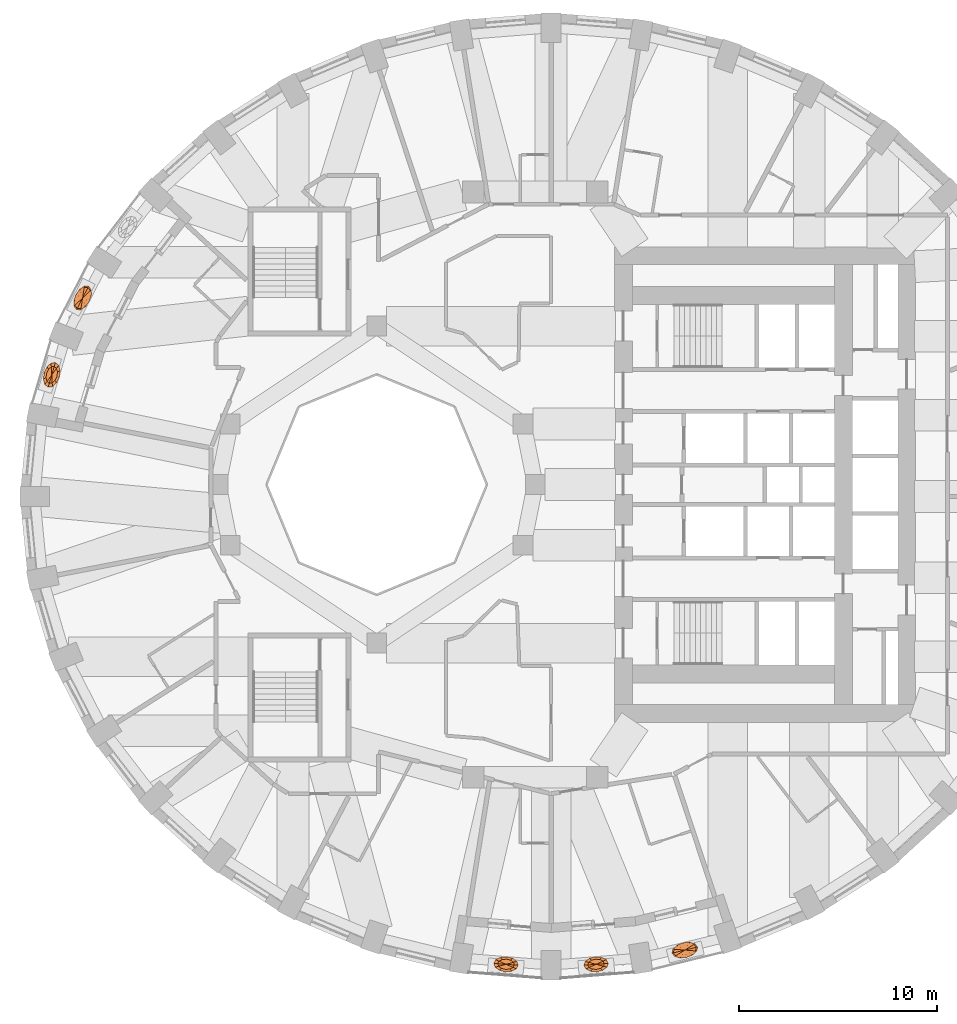
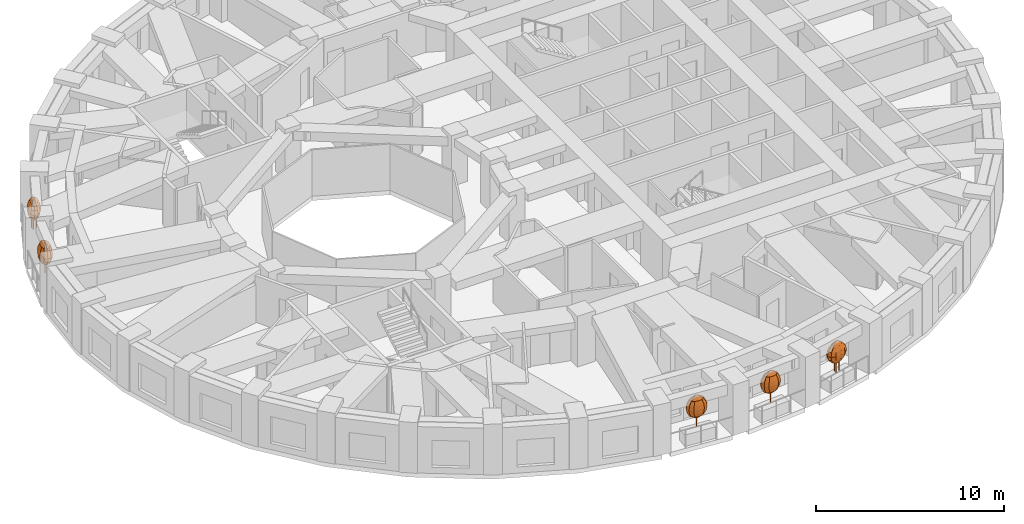
# One storey, part 12 of 13: 5 geographic elements.
"""IFC4 building model written with IfcOpenShell, lengths in metres."""

from ifc_helpers import new_model, si_unit, direction, frame, origin, place, context, subcontext, project, spatial, faceted_brep, material, constituent, constituent_set, type_object, element, save


model = new_model("IFC4")

# Units and contexts
model_context = context("Model", 3, precision=1e-05, world=origin(), true_north=direction((0.0, 1.0)))
body_context = subcontext(model_context, "Body", "Model", "MODEL_VIEW")
ifc_project = project(units=[si_unit("LENGTHUNIT", "METRE"), si_unit("AREAUNIT", "SQUARE_METRE"), si_unit("VOLUMEUNIT", "CUBIC_METRE"), si_unit("PLANEANGLEUNIT", "RADIAN"), si_unit("MASSUNIT", "GRAM", prefix="KILO")], contexts=[model_context])

# Site, building, storey
site_placement = place(None, origin())
site = spatial("IfcSite", under=ifc_project, at=site_placement, CompositionType="ELEMENT")
building_placement = place(site_placement, origin())
building = spatial("IfcBuilding", under=site, at=building_placement, Name="Taillehof Tower", CompositionType="ELEMENT")
storey_placement = place(building_placement, frame((0.0, 0.0, 115.300048828125)))
storey = spatial("IfcBuildingStorey", under=building, at=storey_placement, Name="L32", CompositionType="ELEMENT", Elevation=115.300048828125)

# Geographic elements
ifc_material_1 = material(Name="Tree bark", Category="timber")
ifc_constituent_1 = constituent(ifc_material_1, Name="Trunk", Category="timber")
ifc_material_2 = material(Name="Tree foliage")
ifc_constituent_2 = constituent(ifc_material_2, Name="Crown")
ifc_constituent_set_1 = constituent_set(constituents=[ifc_constituent_1, ifc_constituent_2], Name="Tree TR1 Columnar hornbeam")
geographic_element_type_1 = type_object("IfcGeographicElementType", Name="Tree TR1 Columnar hornbeam", PredefinedType="USERDEFINED", material=ifc_constituent_set_1)
geographic_element_1_placement = place(storey_placement, frame((-24.39794921875, 5.535888671875, 0.75)))
element("IfcGeographicElement", 1, at=geographic_element_1_placement, inside=storey, type_object=geographic_element_type_1, Name="Tree TR1 Columnar hornbeam", ObjectType="TREE", PredefinedType="USERDEFINED", context=body_context, shape_type="Brep", body=[
    faceted_brep([(0.030029296875, 0.0, 0.0), (0.021240234375, 0.021240234375, 0.0), (0.021240234375, 0.021240234375, 1.092529296875), (0.030029296875, 0.0, 1.092529296875), (0.0, 0.030029296875, 0.0), (0.0, 0.030029296875, 1.092529296875), (-0.021240234375, 0.021240234375, 0.0), (-0.021240234375, 0.021240234375, 1.092529296875), (-0.030029296875, 0.0, 0.0), (-0.030029296875, 0.0, 1.092529296875), (-0.021240234375, -0.021240234375, 0.0), (-0.021240234375, -0.021240234375, 1.092529296875), (0.0, -0.030029296875, 0.0), (0.0, -0.030029296875, 1.092529296875), (0.021240234375, -0.021240234375, 0.0), (0.021240234375, -0.021240234375, 1.092529296875)], [[[0, 1, 2, 3]], [[1, 4, 5, 2]], [[4, 6, 7, 5]], [[6, 8, 9, 7]], [[8, 10, 11, 9]], [[10, 12, 13, 11]], [[12, 14, 15, 13]], [[14, 0, 3, 15]], [[14, 12, 10, 8, 6, 4, 1, 0]], [[3, 2, 5, 7, 9, 11, 13, 15]]]),
    faceted_brep([(0.0, 0.0, 0.550048828125), (0.022216796875, -0.407470703125, 0.808349609375), (-0.125732421875, -0.42578125, 0.808349609375), (0.1640625, -0.27978515625, 0.808349609375), (0.261962890625, -0.077392578125, 0.808349609375), (0.289794921875, 0.14599609375, 0.808349609375), (0.23974609375, 0.330078125, 0.808349609375), (0.125732421875, 0.42578125, 0.808349609375), (-0.022216796875, 0.407470703125, 0.808349609375), (-0.1640625, 0.27978515625, 0.808349609375), (-0.261962890625, 0.077392578125, 0.808349609375), (-0.289794921875, -0.14599609375, 0.808349609375), (-0.23974609375, -0.330078125, 0.808349609375), (0.030029296875, -0.551025390625, 1.066650390625), (-0.169921875, -0.575927734375, 1.066650390625), (0.221923828125, -0.378662109375, 1.066650390625), (0.3544921875, -0.1044921875, 1.066650390625), (0.391845703125, 0.197509765625, 1.066650390625), (0.324462890625, 0.446533203125, 1.066650390625), (0.169921875, 0.575927734375, 1.066650390625), (-0.030029296875, 0.551025390625, 1.066650390625), (-0.221923828125, 0.378662109375, 1.066650390625), (-0.3544921875, 0.1044921875, 1.066650390625), (-0.391845703125, -0.197509765625, 1.066650390625), (-0.324462890625, -0.446533203125, 1.066650390625), (0.032470703125, -0.596435546875, 1.324951171875), (-0.18408203125, -0.62353515625, 1.324951171875), (0.240234375, -0.40966796875, 1.324951171875), (0.383544921875, -0.11328125, 1.324951171875), (0.42431640625, 0.213623046875, 1.324951171875), (0.35107421875, 0.4833984375, 1.324951171875), (0.18408203125, 0.62353515625, 1.324951171875), (-0.032470703125, 0.596435546875, 1.324951171875), (-0.240234375, 0.40966796875, 1.324951171875), (-0.383544921875, 0.11328125, 1.324951171875), (-0.42431640625, -0.213623046875, 1.324951171875), (-0.35107421875, -0.4833984375, 1.324951171875), (0.030029296875, -0.551025390625, 1.583251953125), (-0.169921875, -0.575927734375, 1.583251953125), (0.221923828125, -0.378662109375, 1.583251953125), (0.3544921875, -0.1044921875, 1.583251953125), (0.391845703125, 0.197509765625, 1.583251953125), (0.324462890625, 0.446533203125, 1.583251953125), (0.169921875, 0.575927734375, 1.583251953125), (-0.030029296875, 0.551025390625, 1.583251953125), (-0.221923828125, 0.378662109375, 1.583251953125), (-0.3544921875, 0.1044921875, 1.583251953125), (-0.391845703125, -0.197509765625, 1.583251953125), (-0.324462890625, -0.446533203125, 1.583251953125), (0.022216796875, -0.407470703125, 1.841552734375), (-0.125732421875, -0.42578125, 1.841552734375), (0.1640625, -0.27978515625, 1.841552734375), (0.261962890625, -0.077392578125, 1.841552734375), (0.289794921875, 0.14599609375, 1.841552734375), (0.23974609375, 0.330078125, 1.841552734375), (0.125732421875, 0.42578125, 1.841552734375), (-0.022216796875, 0.407470703125, 1.841552734375), (-0.1640625, 0.27978515625, 1.841552734375), (-0.261962890625, 0.077392578125, 1.841552734375), (-0.289794921875, -0.14599609375, 1.841552734375), (-0.23974609375, -0.330078125, 1.841552734375), (0.0, 0.0, 2.10009765625)], [[[0, 1, 2]], [[0, 3, 1]], [[0, 4, 3]], [[0, 5, 4]], [[0, 6, 5]], [[0, 7, 6]], [[0, 8, 7]], [[0, 9, 8]], [[0, 10, 9]], [[0, 11, 10]], [[0, 12, 11]], [[0, 2, 12]], [[2, 1, 13, 14]], [[1, 3, 15, 13]], [[3, 4, 16, 15]], [[4, 5, 17, 16]], [[5, 6, 18, 17]], [[6, 7, 19, 18]], [[7, 8, 20, 19]], [[8, 9, 21, 20]], [[9, 10, 22, 21]], [[10, 11, 23, 22]], [[11, 12, 24, 23]], [[12, 2, 14, 24]], [[14, 13, 25, 26]], [[13, 15, 27, 25]], [[15, 16, 28, 27]], [[16, 17, 29, 28]], [[17, 18, 30, 29]], [[18, 19, 31, 30]], [[19, 20, 32, 31]], [[20, 21, 33, 32]], [[21, 22, 34, 33]], [[22, 23, 35, 34]], [[23, 24, 36, 35]], [[24, 14, 26, 36]], [[26, 25, 37, 38]], [[25, 27, 39, 37]], [[27, 28, 40, 39]], [[28, 29, 41, 40]], [[29, 30, 42, 41]], [[30, 31, 43, 42]], [[31, 32, 44, 43]], [[32, 33, 45, 44]], [[33, 34, 46, 45]], [[34, 35, 47, 46]], [[35, 36, 48, 47]], [[36, 26, 38, 48]], [[38, 37, 49, 50]], [[37, 39, 51, 49]], [[39, 40, 52, 51]], [[40, 41, 53, 52]], [[41, 42, 54, 53]], [[42, 43, 55, 54]], [[43, 44, 56, 55]], [[44, 45, 57, 56]], [[45, 46, 58, 57]], [[46, 47, 59, 58]], [[47, 48, 60, 59]], [[48, 38, 50, 60]], [[50, 49, 61]], [[49, 51, 61]], [[51, 52, 61]], [[52, 53, 61]], [[53, 54, 61]], [[54, 55, 61]], [[55, 56, 61]], [[56, 57, 61]], [[57, 58, 61]], [[58, 59, 61]], [[59, 60, 61]], [[60, 50, 61]]]),
])
geographic_element_2_placement = place(storey_placement, frame((-1.472900390625, -24.20751953125, 0.75)))
element("IfcGeographicElement", 2, at=geographic_element_2_placement, inside=storey, type_object=geographic_element_type_1, Name="Tree TR1 Columnar hornbeam", ObjectType="TREE", PredefinedType="USERDEFINED", context=body_context, shape_type="Brep", body=[
    faceted_brep([(0.030029296875, 0.0, 0.0), (0.021240234375, 0.021240234375, 0.0), (0.021240234375, 0.021240234375, 1.092529296875), (0.030029296875, 0.0, 1.092529296875), (0.0, 0.030029296875, 0.0), (0.0, 0.030029296875, 1.092529296875), (-0.021240234375, 0.021240234375, 0.0), (-0.021240234375, 0.021240234375, 1.092529296875), (-0.030029296875, 0.0, 0.0), (-0.030029296875, 0.0, 1.092529296875), (-0.021240234375, -0.021240234375, 0.0), (-0.021240234375, -0.021240234375, 1.092529296875), (0.0, -0.030029296875, 0.0), (0.0, -0.030029296875, 1.092529296875), (0.021240234375, -0.021240234375, 0.0), (0.021240234375, -0.021240234375, 1.092529296875)], [[[0, 1, 2, 3]], [[1, 4, 5, 2]], [[4, 6, 7, 5]], [[6, 8, 9, 7]], [[8, 10, 11, 9]], [[10, 12, 13, 11]], [[12, 14, 15, 13]], [[14, 0, 3, 15]], [[14, 12, 10, 8, 6, 4, 1, 0]], [[3, 2, 5, 7, 9, 11, 13, 15]]]),
    faceted_brep([(0.0, 0.0, 0.550048828125), (0.374267578125, 0.100341796875, 0.808349609375), (0.42041015625, -0.033447265625, 0.808349609375), (0.22802734375, 0.207275390625, 0.808349609375), (0.0205078125, 0.2587890625, 0.808349609375), (-0.1923828125, 0.24072265625, 0.808349609375), (-0.353759765625, 0.158203125, 0.808349609375), (-0.42041015625, 0.033447265625, 0.808349609375), (-0.374267578125, -0.100341796875, 0.808349609375), (-0.22802734375, -0.207275390625, 0.808349609375), (-0.0205078125, -0.2587890625, 0.808349609375), (0.1923828125, -0.24072265625, 0.808349609375), (0.353759765625, -0.158203125, 0.808349609375), (0.50634765625, 0.135986328125, 1.066650390625), (0.56884765625, -0.045166015625, 1.066650390625), (0.308349609375, 0.280517578125, 1.066650390625), (0.02783203125, 0.35009765625, 1.066650390625), (-0.26025390625, 0.32568359375, 1.066650390625), (-0.478759765625, 0.214111328125, 1.066650390625), (-0.56884765625, 0.045166015625, 1.066650390625), (-0.50634765625, -0.135986328125, 1.066650390625), (-0.308349609375, -0.280517578125, 1.066650390625), (-0.02783203125, -0.35009765625, 1.066650390625), (0.26025390625, -0.32568359375, 1.066650390625), (0.478759765625, -0.214111328125, 1.066650390625), (0.548095703125, 0.14697265625, 1.324951171875), (0.615478515625, -0.048828125, 1.324951171875), (0.333740234375, 0.3037109375, 1.324951171875), (0.030029296875, 0.37890625, 1.324951171875), (-0.28173828125, 0.3525390625, 1.324951171875), (-0.51806640625, 0.231689453125, 1.324951171875), (-0.615478515625, 0.048828125, 1.324951171875), (-0.548095703125, -0.14697265625, 1.324951171875), (-0.333740234375, -0.3037109375, 1.324951171875), (-0.030029296875, -0.37890625, 1.324951171875), (0.28173828125, -0.3525390625, 1.324951171875), (0.51806640625, -0.231689453125, 1.324951171875), (0.50634765625, 0.135986328125, 1.583251953125), (0.56884765625, -0.045166015625, 1.583251953125), (0.308349609375, 0.280517578125, 1.583251953125), (0.02783203125, 0.35009765625, 1.583251953125), (-0.26025390625, 0.32568359375, 1.583251953125), (-0.478759765625, 0.214111328125, 1.583251953125), (-0.56884765625, 0.045166015625, 1.583251953125), (-0.50634765625, -0.135986328125, 1.583251953125), (-0.308349609375, -0.280517578125, 1.583251953125), (-0.02783203125, -0.35009765625, 1.583251953125), (0.26025390625, -0.32568359375, 1.583251953125), (0.478759765625, -0.214111328125, 1.583251953125), (0.374267578125, 0.100341796875, 1.841552734375), (0.42041015625, -0.033447265625, 1.841552734375), (0.22802734375, 0.207275390625, 1.841552734375), (0.0205078125, 0.2587890625, 1.841552734375), (-0.1923828125, 0.24072265625, 1.841552734375), (-0.353759765625, 0.158203125, 1.841552734375), (-0.42041015625, 0.033447265625, 1.841552734375), (-0.374267578125, -0.100341796875, 1.841552734375), (-0.22802734375, -0.207275390625, 1.841552734375), (-0.0205078125, -0.2587890625, 1.841552734375), (0.1923828125, -0.24072265625, 1.841552734375), (0.353759765625, -0.158203125, 1.841552734375), (0.0, 0.0, 2.10009765625)], [[[0, 1, 2]], [[0, 3, 1]], [[0, 4, 3]], [[0, 5, 4]], [[0, 6, 5]], [[0, 7, 6]], [[0, 8, 7]], [[0, 9, 8]], [[0, 10, 9]], [[0, 11, 10]], [[0, 12, 11]], [[0, 2, 12]], [[2, 1, 13, 14]], [[1, 3, 15, 13]], [[3, 4, 16, 15]], [[4, 5, 17, 16]], [[5, 6, 18, 17]], [[6, 7, 19, 18]], [[7, 8, 20, 19]], [[8, 9, 21, 20]], [[9, 10, 22, 21]], [[10, 11, 23, 22]], [[11, 12, 24, 23]], [[12, 2, 14, 24]], [[14, 13, 25, 26]], [[13, 15, 27, 25]], [[15, 16, 28, 27]], [[16, 17, 29, 28]], [[17, 18, 30, 29]], [[18, 19, 31, 30]], [[19, 20, 32, 31]], [[20, 21, 33, 32]], [[21, 22, 34, 33]], [[22, 23, 35, 34]], [[23, 24, 36, 35]], [[24, 14, 26, 36]], [[26, 25, 37, 38]], [[25, 27, 39, 37]], [[27, 28, 40, 39]], [[28, 29, 41, 40]], [[29, 30, 42, 41]], [[30, 31, 43, 42]], [[31, 32, 44, 43]], [[32, 33, 45, 44]], [[33, 34, 46, 45]], [[34, 35, 47, 46]], [[35, 36, 48, 47]], [[36, 26, 38, 48]], [[38, 37, 49, 50]], [[37, 39, 51, 49]], [[39, 40, 52, 51]], [[40, 41, 53, 52]], [[41, 42, 54, 53]], [[42, 43, 55, 54]], [[43, 44, 56, 55]], [[44, 45, 57, 56]], [[45, 46, 58, 57]], [[46, 47, 59, 58]], [[47, 48, 60, 59]], [[48, 38, 50, 60]], [[50, 49, 61]], [[49, 51, 61]], [[51, 52, 61]], [[52, 53, 61]], [[53, 54, 61]], [[54, 55, 61]], [[55, 56, 61]], [[56, 57, 61]], [[57, 58, 61]], [[58, 59, 61]], [[59, 60, 61]], [[60, 50, 61]]]),
])
geographic_element_3_placement = place(storey_placement, frame((3.072998046875, -24.20751953125, 0.75)))
element("IfcGeographicElement", 3, at=geographic_element_3_placement, inside=storey, type_object=geographic_element_type_1, Name="Tree TR1 Columnar hornbeam", ObjectType="TREE", PredefinedType="USERDEFINED", context=body_context, shape_type="Brep", body=[
    faceted_brep([(0.030029296875, 0.0, 0.0), (0.021240234375, 0.021240234375, 0.0), (0.021240234375, 0.021240234375, 1.092529296875), (0.030029296875, 0.0, 1.092529296875), (0.0, 0.030029296875, 0.0), (0.0, 0.030029296875, 1.092529296875), (-0.021240234375, 0.021240234375, 0.0), (-0.021240234375, 0.021240234375, 1.092529296875), (-0.030029296875, 0.0, 0.0), (-0.030029296875, 0.0, 1.092529296875), (-0.021240234375, -0.021240234375, 0.0), (-0.021240234375, -0.021240234375, 1.092529296875), (0.0, -0.030029296875, 0.0), (0.0, -0.030029296875, 1.092529296875), (0.021240234375, -0.021240234375, 0.0), (0.021240234375, -0.021240234375, 1.092529296875)], [[[0, 1, 2, 3]], [[1, 4, 5, 2]], [[4, 6, 7, 5]], [[6, 8, 9, 7]], [[8, 10, 11, 9]], [[10, 12, 13, 11]], [[12, 14, 15, 13]], [[14, 0, 3, 15]], [[14, 12, 10, 8, 6, 4, 1, 0]], [[3, 2, 5, 7, 9, 11, 13, 15]]]),
    faceted_brep([(0.0, 0.0, 0.550048828125), (0.353759765625, 0.158203125, 0.808349609375), (0.42041015625, 0.033447265625, 0.808349609375), (0.1923828125, 0.24072265625, 0.808349609375), (-0.0205078125, 0.2587890625, 0.808349609375), (-0.22802734375, 0.207275390625, 0.808349609375), (-0.374267578125, 0.100341796875, 0.808349609375), (-0.42041015625, -0.033447265625, 0.808349609375), (-0.353759765625, -0.158203125, 0.808349609375), (-0.1923828125, -0.24072265625, 0.808349609375), (0.0205078125, -0.2587890625, 0.808349609375), (0.22802734375, -0.207275390625, 0.808349609375), (0.374267578125, -0.100341796875, 0.808349609375), (0.478759765625, 0.214111328125, 1.066650390625), (0.56884765625, 0.045166015625, 1.066650390625), (0.26025390625, 0.32568359375, 1.066650390625), (-0.02783203125, 0.35009765625, 1.066650390625), (-0.308349609375, 0.280517578125, 1.066650390625), (-0.50634765625, 0.135986328125, 1.066650390625), (-0.56884765625, -0.045166015625, 1.066650390625), (-0.478759765625, -0.214111328125, 1.066650390625), (-0.26025390625, -0.32568359375, 1.066650390625), (0.02783203125, -0.35009765625, 1.066650390625), (0.308349609375, -0.280517578125, 1.066650390625), (0.50634765625, -0.135986328125, 1.066650390625), (0.51806640625, 0.231689453125, 1.324951171875), (0.615478515625, 0.048828125, 1.324951171875), (0.28173828125, 0.3525390625, 1.324951171875), (-0.030029296875, 0.37890625, 1.324951171875), (-0.333740234375, 0.3037109375, 1.324951171875), (-0.548095703125, 0.14697265625, 1.324951171875), (-0.615478515625, -0.048828125, 1.324951171875), (-0.51806640625, -0.231689453125, 1.324951171875), (-0.28173828125, -0.3525390625, 1.324951171875), (0.030029296875, -0.37890625, 1.324951171875), (0.333740234375, -0.3037109375, 1.324951171875), (0.548095703125, -0.14697265625, 1.324951171875), (0.478759765625, 0.214111328125, 1.583251953125), (0.56884765625, 0.045166015625, 1.583251953125), (0.26025390625, 0.32568359375, 1.583251953125), (-0.02783203125, 0.35009765625, 1.583251953125), (-0.308349609375, 0.280517578125, 1.583251953125), (-0.50634765625, 0.135986328125, 1.583251953125), (-0.56884765625, -0.045166015625, 1.583251953125), (-0.478759765625, -0.214111328125, 1.583251953125), (-0.26025390625, -0.32568359375, 1.583251953125), (0.02783203125, -0.35009765625, 1.583251953125), (0.308349609375, -0.280517578125, 1.583251953125), (0.50634765625, -0.135986328125, 1.583251953125), (0.353759765625, 0.158203125, 1.841552734375), (0.42041015625, 0.033447265625, 1.841552734375), (0.1923828125, 0.24072265625, 1.841552734375), (-0.0205078125, 0.2587890625, 1.841552734375), (-0.22802734375, 0.207275390625, 1.841552734375), (-0.374267578125, 0.100341796875, 1.841552734375), (-0.42041015625, -0.033447265625, 1.841552734375), (-0.353759765625, -0.158203125, 1.841552734375), (-0.1923828125, -0.24072265625, 1.841552734375), (0.0205078125, -0.2587890625, 1.841552734375), (0.22802734375, -0.207275390625, 1.841552734375), (0.374267578125, -0.100341796875, 1.841552734375), (0.0, 0.0, 2.10009765625)], [[[0, 1, 2]], [[0, 3, 1]], [[0, 4, 3]], [[0, 5, 4]], [[0, 6, 5]], [[0, 7, 6]], [[0, 8, 7]], [[0, 9, 8]], [[0, 10, 9]], [[0, 11, 10]], [[0, 12, 11]], [[0, 2, 12]], [[2, 1, 13, 14]], [[1, 3, 15, 13]], [[3, 4, 16, 15]], [[4, 5, 17, 16]], [[5, 6, 18, 17]], [[6, 7, 19, 18]], [[7, 8, 20, 19]], [[8, 9, 21, 20]], [[9, 10, 22, 21]], [[10, 11, 23, 22]], [[11, 12, 24, 23]], [[12, 2, 14, 24]], [[14, 13, 25, 26]], [[13, 15, 27, 25]], [[15, 16, 28, 27]], [[16, 17, 29, 28]], [[17, 18, 30, 29]], [[18, 19, 31, 30]], [[19, 20, 32, 31]], [[20, 21, 33, 32]], [[21, 22, 34, 33]], [[22, 23, 35, 34]], [[23, 24, 36, 35]], [[24, 14, 26, 36]], [[26, 25, 37, 38]], [[25, 27, 39, 37]], [[27, 28, 40, 39]], [[28, 29, 41, 40]], [[29, 30, 42, 41]], [[30, 31, 43, 42]], [[31, 32, 44, 43]], [[32, 33, 45, 44]], [[33, 34, 46, 45]], [[34, 35, 47, 46]], [[35, 36, 48, 47]], [[36, 26, 38, 48]], [[38, 37, 49, 50]], [[37, 39, 51, 49]], [[39, 40, 52, 51]], [[40, 41, 53, 52]], [[41, 42, 54, 53]], [[42, 43, 55, 54]], [[43, 44, 56, 55]], [[44, 45, 57, 56]], [[45, 46, 58, 57]], [[46, 47, 59, 58]], [[47, 48, 60, 59]], [[48, 38, 50, 60]], [[50, 49, 61]], [[49, 51, 61]], [[51, 52, 61]], [[52, 53, 61]], [[53, 54, 61]], [[54, 55, 61]], [[55, 56, 61]], [[56, 57, 61]], [[57, 58, 61]], [[58, 59, 61]], [[59, 60, 61]], [[60, 50, 61]]]),
])
ifc_material_3 = material(Name="Tree bark", Category="timber")
ifc_constituent_3 = constituent(ifc_material_3, Name="Trunk", Category="timber")
ifc_material_4 = material(Name="Tree foliage")
ifc_constituent_4 = constituent(ifc_material_4, Name="Crown")
ifc_constituent_set_2 = constituent_set(constituents=[ifc_constituent_3, ifc_constituent_4], Name="Tree TR3 Multi-stem serviceberry")
geographic_element_type_2 = type_object("IfcGeographicElementType", Name="Tree TR3 Multi-stem serviceberry", PredefinedType="USERDEFINED", material=ifc_constituent_set_2)
geographic_element_4_placement = place(storey_placement, frame((-22.841796875, 9.41845703125, 0.75)))
element("IfcGeographicElement", 4, at=geographic_element_4_placement, inside=storey, type_object=geographic_element_type_2, Name="Tree TR3 Multi-stem serviceberry", ObjectType="TREE", PredefinedType="USERDEFINED", context=body_context, shape_type="Brep", body=[
    faceted_brep([(0.195068359375, 0.0, 0.0), (0.186767578125, 0.0205078125, 0.0), (0.186767578125, 0.0205078125, 1.04248046875), (0.195068359375, 0.0, 1.04248046875), (0.166259765625, 0.02880859375, 0.0), (0.166259765625, 0.02880859375, 1.04248046875), (0.145751953125, 0.0205078125, 0.0), (0.145751953125, 0.0205078125, 1.04248046875), (0.137451171875, 0.0, 0.0), (0.137451171875, 0.0, 1.04248046875), (0.145751953125, -0.0205078125, 0.0), (0.145751953125, -0.0205078125, 1.04248046875), (0.166259765625, -0.02880859375, 0.0), (0.166259765625, -0.02880859375, 1.04248046875), (0.186767578125, -0.0205078125, 0.0), (0.186767578125, -0.0205078125, 1.04248046875)], [[[0, 1, 2, 3]], [[1, 4, 5, 2]], [[4, 6, 7, 5]], [[6, 8, 9, 7]], [[8, 10, 11, 9]], [[10, 12, 13, 11]], [[12, 14, 15, 13]], [[14, 0, 3, 15]], [[14, 12, 10, 8, 6, 4, 1, 0]], [[3, 2, 5, 7, 9, 11, 13, 15]]]),
    faceted_brep([(-0.05419921875, 0.082275390625, 0.0), (-0.062744140625, 0.102783203125, 0.0), (-0.062744140625, 0.102783203125, 1.04248046875), (-0.05419921875, 0.082275390625, 1.04248046875), (-0.0830078125, 0.111083984375, 0.0), (-0.0830078125, 0.111083984375, 1.04248046875), (-0.103515625, 0.102783203125, 0.0), (-0.103515625, 0.102783203125, 1.04248046875), (-0.112060546875, 0.082275390625, 0.0), (-0.112060546875, 0.082275390625, 1.04248046875), (-0.103515625, 0.061767578125, 0.0), (-0.103515625, 0.061767578125, 1.04248046875), (-0.0830078125, 0.053466796875, 0.0), (-0.0830078125, 0.053466796875, 1.04248046875), (-0.062744140625, 0.061767578125, 0.0), (-0.062744140625, 0.061767578125, 1.04248046875)], [[[0, 1, 2, 3]], [[1, 4, 5, 2]], [[4, 6, 7, 5]], [[6, 8, 9, 7]], [[8, 10, 11, 9]], [[10, 12, 13, 11]], [[12, 14, 15, 13]], [[14, 0, 3, 15]], [[14, 12, 10, 8, 6, 4, 1, 0]], [[3, 2, 5, 7, 9, 11, 13, 15]]]),
    faceted_brep([(-0.05419921875, -0.082275390625, 0.0), (-0.062744140625, -0.061767578125, 0.0), (-0.062744140625, -0.061767578125, 1.04248046875), (-0.05419921875, -0.082275390625, 1.04248046875), (-0.0830078125, -0.053466796875, 0.0), (-0.0830078125, -0.053466796875, 1.04248046875), (-0.103515625, -0.061767578125, 0.0), (-0.103515625, -0.061767578125, 1.04248046875), (-0.112060546875, -0.082275390625, 0.0), (-0.112060546875, -0.082275390625, 1.04248046875), (-0.103515625, -0.102783203125, 0.0), (-0.103515625, -0.102783203125, 1.04248046875), (-0.0830078125, -0.111083984375, 0.0), (-0.0830078125, -0.111083984375, 1.04248046875), (-0.062744140625, -0.102783203125, 0.0), (-0.062744140625, -0.102783203125, 1.04248046875)], [[[0, 1, 2, 3]], [[1, 4, 5, 2]], [[4, 6, 7, 5]], [[6, 8, 9, 7]], [[8, 10, 11, 9]], [[10, 12, 13, 11]], [[12, 14, 15, 13]], [[14, 0, 3, 15]], [[14, 12, 10, 8, 6, 4, 1, 0]], [[3, 2, 5, 7, 9, 11, 13, 15]]]),
    faceted_brep([(0.0, 0.0, 0.5), (-0.053955078125, -0.343994140625, 0.75830078125), (-0.174560546875, -0.33984375, 0.75830078125), (0.080810546875, -0.25634765625, 0.75830078125), (0.194091796875, -0.099609375, 0.75830078125), (0.25537109375, 0.08349609375, 0.75830078125), (0.248291015625, 0.244384765625, 0.75830078125), (0.174560546875, 0.33984375, 0.75830078125), (0.053955078125, 0.343994140625, 0.75830078125), (-0.080810546875, 0.25634765625, 0.75830078125), (-0.194091796875, 0.099609375, 0.75830078125), (-0.25537109375, -0.08349609375, 0.75830078125), (-0.248291015625, -0.244384765625, 0.75830078125), (-0.083740234375, -0.533935546875, 1.0166015625), (-0.270751953125, -0.52734375, 1.0166015625), (0.12548828125, -0.397705078125, 1.0166015625), (0.30126953125, -0.15478515625, 1.0166015625), (0.396240234375, 0.129638671875, 1.0166015625), (0.38525390625, 0.379150390625, 1.0166015625), (0.270751953125, 0.52734375, 1.0166015625), (0.083740234375, 0.533935546875, 1.0166015625), (-0.12548828125, 0.397705078125, 1.0166015625), (-0.30126953125, 0.15478515625, 1.0166015625), (-0.396240234375, -0.129638671875, 1.0166015625), (-0.38525390625, -0.379150390625, 1.0166015625), (-0.093994140625, -0.59912109375, 1.27490234375), (-0.3037109375, -0.591552734375, 1.27490234375), (0.140869140625, -0.446044921875, 1.27490234375), (0.338134765625, -0.173583984375, 1.27490234375), (0.444580078125, 0.1455078125, 1.27490234375), (0.43212890625, 0.425537109375, 1.27490234375), (0.3037109375, 0.591552734375, 1.27490234375), (0.093994140625, 0.59912109375, 1.27490234375), (-0.140869140625, 0.446044921875, 1.27490234375), (-0.338134765625, 0.173583984375, 1.27490234375), (-0.444580078125, -0.1455078125, 1.27490234375), (-0.43212890625, -0.425537109375, 1.27490234375), (-0.083740234375, -0.533935546875, 1.533447265625), (-0.270751953125, -0.52734375, 1.533447265625), (0.12548828125, -0.397705078125, 1.533447265625), (0.30126953125, -0.15478515625, 1.533447265625), (0.396240234375, 0.129638671875, 1.533447265625), (0.38525390625, 0.379150390625, 1.533447265625), (0.270751953125, 0.52734375, 1.533447265625), (0.083740234375, 0.533935546875, 1.533447265625), (-0.12548828125, 0.397705078125, 1.533447265625), (-0.30126953125, 0.15478515625, 1.533447265625), (-0.396240234375, -0.129638671875, 1.533447265625), (-0.38525390625, -0.379150390625, 1.533447265625), (-0.053955078125, -0.343994140625, 1.791748046875), (-0.174560546875, -0.33984375, 1.791748046875), (0.080810546875, -0.25634765625, 1.791748046875), (0.194091796875, -0.099609375, 1.791748046875), (0.25537109375, 0.08349609375, 1.791748046875), (0.248291015625, 0.244384765625, 1.791748046875), (0.174560546875, 0.33984375, 1.791748046875), (0.053955078125, 0.343994140625, 1.791748046875), (-0.080810546875, 0.25634765625, 1.791748046875), (-0.194091796875, 0.099609375, 1.791748046875), (-0.25537109375, -0.08349609375, 1.791748046875), (-0.248291015625, -0.244384765625, 1.791748046875), (0.0, 0.0, 2.050048828125)], [[[0, 1, 2]], [[0, 3, 1]], [[0, 4, 3]], [[0, 5, 4]], [[0, 6, 5]], [[0, 7, 6]], [[0, 8, 7]], [[0, 9, 8]], [[0, 10, 9]], [[0, 11, 10]], [[0, 12, 11]], [[0, 2, 12]], [[2, 1, 13, 14]], [[1, 3, 15, 13]], [[3, 4, 16, 15]], [[4, 5, 17, 16]], [[5, 6, 18, 17]], [[6, 7, 19, 18]], [[7, 8, 20, 19]], [[8, 9, 21, 20]], [[9, 10, 22, 21]], [[10, 11, 23, 22]], [[11, 12, 24, 23]], [[12, 2, 14, 24]], [[14, 13, 25, 26]], [[13, 15, 27, 25]], [[15, 16, 28, 27]], [[16, 17, 29, 28]], [[17, 18, 30, 29]], [[18, 19, 31, 30]], [[19, 20, 32, 31]], [[20, 21, 33, 32]], [[21, 22, 34, 33]], [[22, 23, 35, 34]], [[23, 24, 36, 35]], [[24, 14, 26, 36]], [[26, 25, 37, 38]], [[25, 27, 39, 37]], [[27, 28, 40, 39]], [[28, 29, 41, 40]], [[29, 30, 42, 41]], [[30, 31, 43, 42]], [[31, 32, 44, 43]], [[32, 33, 45, 44]], [[33, 34, 46, 45]], [[34, 35, 47, 46]], [[35, 36, 48, 47]], [[36, 26, 38, 48]], [[38, 37, 49, 50]], [[37, 39, 51, 49]], [[39, 40, 52, 51]], [[40, 41, 53, 52]], [[41, 42, 54, 53]], [[42, 43, 55, 54]], [[43, 44, 56, 55]], [[44, 45, 57, 56]], [[45, 46, 58, 57]], [[46, 47, 59, 58]], [[47, 48, 60, 59]], [[48, 38, 50, 60]], [[50, 49, 61]], [[49, 51, 61]], [[51, 52, 61]], [[52, 53, 61]], [[53, 54, 61]], [[54, 55, 61]], [[55, 56, 61]], [[56, 57, 61]], [[57, 58, 61]], [[58, 59, 61]], [[59, 60, 61]], [[60, 50, 61]]]),
])
geographic_element_5_placement = place(storey_placement, frame((7.5498046875, -23.49072265625, 0.75)))
element("IfcGeographicElement", 5, at=geographic_element_5_placement, inside=storey, type_object=geographic_element_type_2, Name="Tree TR3 Multi-stem serviceberry", ObjectType="TREE", PredefinedType="USERDEFINED", context=body_context, shape_type="Brep", body=[
    faceted_brep([(0.195068359375, 0.0, 0.0), (0.186767578125, 0.0205078125, 0.0), (0.186767578125, 0.0205078125, 1.04248046875), (0.195068359375, 0.0, 1.04248046875), (0.166259765625, 0.02880859375, 0.0), (0.166259765625, 0.02880859375, 1.04248046875), (0.145751953125, 0.0205078125, 0.0), (0.145751953125, 0.0205078125, 1.04248046875), (0.137451171875, 0.0, 0.0), (0.137451171875, 0.0, 1.04248046875), (0.145751953125, -0.0205078125, 0.0), (0.145751953125, -0.0205078125, 1.04248046875), (0.166259765625, -0.02880859375, 0.0), (0.166259765625, -0.02880859375, 1.04248046875), (0.186767578125, -0.0205078125, 0.0), (0.186767578125, -0.0205078125, 1.04248046875)], [[[0, 1, 2, 3]], [[1, 4, 5, 2]], [[4, 6, 7, 5]], [[6, 8, 9, 7]], [[8, 10, 11, 9]], [[10, 12, 13, 11]], [[12, 14, 15, 13]], [[14, 0, 3, 15]], [[14, 12, 10, 8, 6, 4, 1, 0]], [[3, 2, 5, 7, 9, 11, 13, 15]]]),
    faceted_brep([(-0.05419921875, 0.082275390625, 0.0), (-0.062744140625, 0.102783203125, 0.0), (-0.062744140625, 0.102783203125, 1.04248046875), (-0.05419921875, 0.082275390625, 1.04248046875), (-0.0830078125, 0.111083984375, 0.0), (-0.0830078125, 0.111083984375, 1.04248046875), (-0.103515625, 0.102783203125, 0.0), (-0.103515625, 0.102783203125, 1.04248046875), (-0.112060546875, 0.082275390625, 0.0), (-0.112060546875, 0.082275390625, 1.04248046875), (-0.103515625, 0.061767578125, 0.0), (-0.103515625, 0.061767578125, 1.04248046875), (-0.0830078125, 0.053466796875, 0.0), (-0.0830078125, 0.053466796875, 1.04248046875), (-0.062744140625, 0.061767578125, 0.0), (-0.062744140625, 0.061767578125, 1.04248046875)], [[[0, 1, 2, 3]], [[1, 4, 5, 2]], [[4, 6, 7, 5]], [[6, 8, 9, 7]], [[8, 10, 11, 9]], [[10, 12, 13, 11]], [[12, 14, 15, 13]], [[14, 0, 3, 15]], [[14, 12, 10, 8, 6, 4, 1, 0]], [[3, 2, 5, 7, 9, 11, 13, 15]]]),
    faceted_brep([(-0.05419921875, -0.082275390625, 0.0), (-0.062744140625, -0.061767578125, 0.0), (-0.062744140625, -0.061767578125, 1.04248046875), (-0.05419921875, -0.082275390625, 1.04248046875), (-0.0830078125, -0.053466796875, 0.0), (-0.0830078125, -0.053466796875, 1.04248046875), (-0.103515625, -0.061767578125, 0.0), (-0.103515625, -0.061767578125, 1.04248046875), (-0.112060546875, -0.082275390625, 0.0), (-0.112060546875, -0.082275390625, 1.04248046875), (-0.103515625, -0.102783203125, 0.0), (-0.103515625, -0.102783203125, 1.04248046875), (-0.0830078125, -0.111083984375, 0.0), (-0.0830078125, -0.111083984375, 1.04248046875), (-0.062744140625, -0.102783203125, 0.0), (-0.062744140625, -0.102783203125, 1.04248046875)], [[[0, 1, 2, 3]], [[1, 4, 5, 2]], [[4, 6, 7, 5]], [[6, 8, 9, 7]], [[8, 10, 11, 9]], [[10, 12, 13, 11]], [[12, 14, 15, 13]], [[14, 0, 3, 15]], [[14, 12, 10, 8, 6, 4, 1, 0]], [[3, 2, 5, 7, 9, 11, 13, 15]]]),
    faceted_brep([(0.0, 0.0, 0.5), (0.295654296875, 0.184326171875, 0.75830078125), (0.37109375, 0.09033203125, 0.75830078125), (0.140869140625, 0.228759765625, 0.75830078125), (-0.051513671875, 0.212158203125, 0.75830078125), (-0.230224609375, 0.138427734375, 0.75830078125), (-0.34716796875, 0.02783203125, 0.75830078125), (-0.37109375, -0.09033203125, 0.75830078125), (-0.295654296875, -0.184326171875, 0.75830078125), (-0.140869140625, -0.228759765625, 0.75830078125), (0.051513671875, -0.212158203125, 0.75830078125), (0.230224609375, -0.138427734375, 0.75830078125), (0.34716796875, -0.02783203125, 0.75830078125), (0.458740234375, 0.285888671875, 1.0166015625), (0.575927734375, 0.14013671875, 1.0166015625), (0.218505859375, 0.35498046875, 1.0166015625), (-0.080078125, 0.3291015625, 1.0166015625), (-0.357177734375, 0.21484375, 1.0166015625), (-0.538818359375, 0.043212890625, 1.0166015625), (-0.575927734375, -0.14013671875, 1.0166015625), (-0.458740234375, -0.285888671875, 1.0166015625), (-0.218505859375, -0.35498046875, 1.0166015625), (0.080078125, -0.3291015625, 1.0166015625), (0.357177734375, -0.21484375, 1.0166015625), (0.538818359375, -0.043212890625, 1.0166015625), (0.5146484375, 0.32080078125, 1.27490234375), (0.646240234375, 0.1572265625, 1.27490234375), (0.245361328125, 0.3984375, 1.27490234375), (-0.08984375, 0.369140625, 1.27490234375), (-0.40087890625, 0.2412109375, 1.27490234375), (-0.6044921875, 0.048583984375, 1.27490234375), (-0.646240234375, -0.1572265625, 1.27490234375), (-0.5146484375, -0.32080078125, 1.27490234375), (-0.245361328125, -0.3984375, 1.27490234375), (0.08984375, -0.369140625, 1.27490234375), (0.40087890625, -0.2412109375, 1.27490234375), (0.6044921875, -0.048583984375, 1.27490234375), (0.458740234375, 0.285888671875, 1.533447265625), (0.575927734375, 0.14013671875, 1.533447265625), (0.218505859375, 0.35498046875, 1.533447265625), (-0.080078125, 0.3291015625, 1.533447265625), (-0.357177734375, 0.21484375, 1.533447265625), (-0.538818359375, 0.043212890625, 1.533447265625), (-0.575927734375, -0.14013671875, 1.533447265625), (-0.458740234375, -0.285888671875, 1.533447265625), (-0.218505859375, -0.35498046875, 1.533447265625), (0.080078125, -0.3291015625, 1.533447265625), (0.357177734375, -0.21484375, 1.533447265625), (0.538818359375, -0.043212890625, 1.533447265625), (0.295654296875, 0.184326171875, 1.791748046875), (0.37109375, 0.09033203125, 1.791748046875), (0.140869140625, 0.228759765625, 1.791748046875), (-0.051513671875, 0.212158203125, 1.791748046875), (-0.230224609375, 0.138427734375, 1.791748046875), (-0.34716796875, 0.02783203125, 1.791748046875), (-0.37109375, -0.09033203125, 1.791748046875), (-0.295654296875, -0.184326171875, 1.791748046875), (-0.140869140625, -0.228759765625, 1.791748046875), (0.051513671875, -0.212158203125, 1.791748046875), (0.230224609375, -0.138427734375, 1.791748046875), (0.34716796875, -0.02783203125, 1.791748046875), (0.0, 0.0, 2.050048828125)], [[[0, 1, 2]], [[0, 3, 1]], [[0, 4, 3]], [[0, 5, 4]], [[0, 6, 5]], [[0, 7, 6]], [[0, 8, 7]], [[0, 9, 8]], [[0, 10, 9]], [[0, 11, 10]], [[0, 12, 11]], [[0, 2, 12]], [[2, 1, 13, 14]], [[1, 3, 15, 13]], [[3, 4, 16, 15]], [[4, 5, 17, 16]], [[5, 6, 18, 17]], [[6, 7, 19, 18]], [[7, 8, 20, 19]], [[8, 9, 21, 20]], [[9, 10, 22, 21]], [[10, 11, 23, 22]], [[11, 12, 24, 23]], [[12, 2, 14, 24]], [[14, 13, 25, 26]], [[13, 15, 27, 25]], [[15, 16, 28, 27]], [[16, 17, 29, 28]], [[17, 18, 30, 29]], [[18, 19, 31, 30]], [[19, 20, 32, 31]], [[20, 21, 33, 32]], [[21, 22, 34, 33]], [[22, 23, 35, 34]], [[23, 24, 36, 35]], [[24, 14, 26, 36]], [[26, 25, 37, 38]], [[25, 27, 39, 37]], [[27, 28, 40, 39]], [[28, 29, 41, 40]], [[29, 30, 42, 41]], [[30, 31, 43, 42]], [[31, 32, 44, 43]], [[32, 33, 45, 44]], [[33, 34, 46, 45]], [[34, 35, 47, 46]], [[35, 36, 48, 47]], [[36, 26, 38, 48]], [[38, 37, 49, 50]], [[37, 39, 51, 49]], [[39, 40, 52, 51]], [[40, 41, 53, 52]], [[41, 42, 54, 53]], [[42, 43, 55, 54]], [[43, 44, 56, 55]], [[44, 45, 57, 56]], [[45, 46, 58, 57]], [[46, 47, 59, 58]], [[47, 48, 60, 59]], [[48, 38, 50, 60]], [[50, 49, 61]], [[49, 51, 61]], [[51, 52, 61]], [[52, 53, 61]], [[53, 54, 61]], [[54, 55, 61]], [[55, 56, 61]], [[56, 57, 61]], [[57, 58, 61]], [[58, 59, 61]], [[59, 60, 61]], [[60, 50, 61]]]),
])

save(model, "model.ifc")
